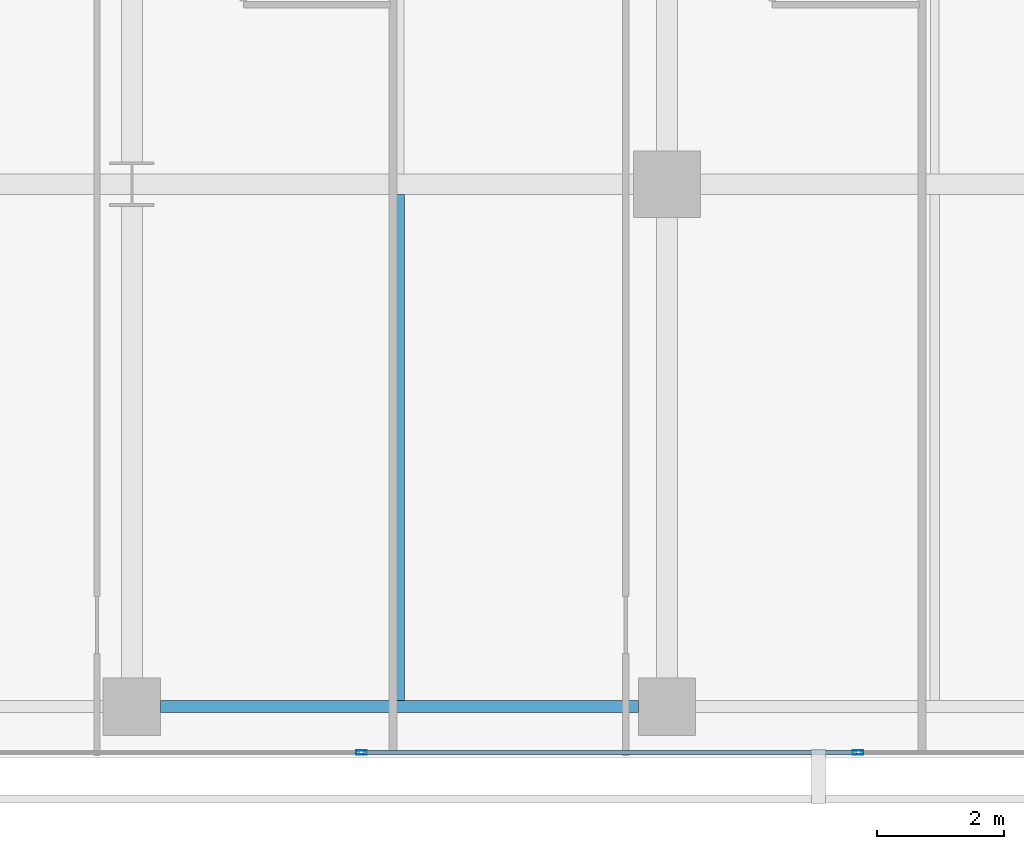
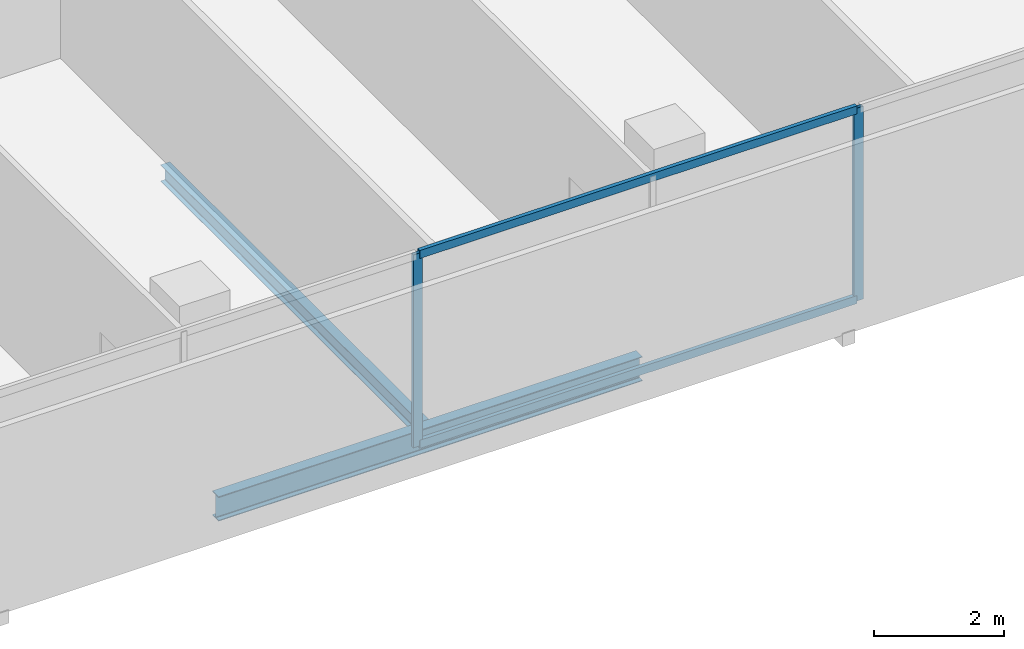
# One storey, part 14 of 40: 4 members, 2 beams, 1 element without a shape of its own.
"""IFC4 building model written with IfcOpenShell, lengths in metres."""

import ifcopenshell
import ifcopenshell.guid

model = None  # the IFC model being written
_history = None  # IfcOwnerHistory: only IFC2X3 demands one
_inside = {}  # id of a spatial element -> (the spatial element, [elements in it])
_under = {}  # id of a project, library or spatial element -> (it, [spatial elements below it])
_declared = {}  # id of a project -> (the project, [libraries it declares])
_typed = {}  # id of a type object -> (the type object, [elements of that type])
_made_of = {}  # id of a material, layer set ... -> (it, [elements and type objects made of it])


def new_model(schema):
    """Start an empty IFC model of exactly this schema.

    Asked for "IFC4X3", IfcOpenShell would pick the latest addendum, in which some entities
    have other attributes; the version numbers below select the first issue.
    IFC2X3 requires an IfcOwnerHistory on every rooted entity: one is made here for all.
    """
    global model, _history
    if schema == "IFC4X3":
        model = ifcopenshell.file(schema_version=(4, 3, 0, 0))
    else:
        model = ifcopenshell.file(schema=schema)
    _inside.clear()
    _under.clear()
    _declared.clear()
    _typed.clear()
    _made_of.clear()
    _history = None
    if model.schema == "IFC2X3":
        org = make("IfcOrganization", Name="unknown")
        user = make(
            "IfcPersonAndOrganization",
            ThePerson=make("IfcPerson", FamilyName="unknown"),
            TheOrganization=org,
        )
        app = make(
            "IfcApplication",
            ApplicationDeveloper=org,
            Version="unknown",
            ApplicationFullName="unknown",
            ApplicationIdentifier="unknown",
        )
        _history = make(
            "IfcOwnerHistory",
            OwningUser=user,
            OwningApplication=app,
            ChangeAction="ADDED",
            CreationDate=0,
        )
    return model


def make(cls, **values):
    """One entity of the class cls with the attributes given. An attribute that is None is left unset."""
    return model.create_entity(
        cls, **{name: value for name, value in values.items() if value is not None}
    )


def rooted(cls, **values):
    """An entity with a GlobalId (a new one), such as an element, a storey or a relation."""
    return make(cls, GlobalId=ifcopenshell.guid.new(), OwnerHistory=_history, **values)


def si_unit(unit_type, name, prefix=None):
    """IfcSIUnit, for example si_unit("LENGTHUNIT", "METRE", prefix="MILLI")."""
    return make("IfcSIUnit", UnitType=unit_type, Prefix=prefix, Name=name)


def assignment(units):
    """IfcUnitAssignment: the units of a project."""
    return None if units is None else make("IfcUnitAssignment", Units=units)


def point(xyz):
    """IfcCartesianPoint."""
    return None if xyz is None else make("IfcCartesianPoint", Coordinates=xyz)


def direction(xyz):
    """IfcDirection."""
    return None if xyz is None else make("IfcDirection", DirectionRatios=xyz)


def frame(location, z_axis=None, x_axis=None):
    """IfcAxis2Placement3D, a coordinate frame: its origin and axes. An axis left out is left unset."""
    return make(
        "IfcAxis2Placement3D",
        Location=point(location),
        Axis=direction(z_axis),
        RefDirection=direction(x_axis),
    )


def frame_2d(location, x_axis=None):
    """IfcAxis2Placement2D, a coordinate frame in the plane: its origin and x axis."""
    return make(
        "IfcAxis2Placement2D", Location=point(location), RefDirection=direction(x_axis)
    )


def origin():
    """The frame at (0, 0, 0) with its axes left unset."""
    return frame((0.0, 0.0, 0.0))


def origin_2d():
    """The frame at (0, 0) in the plane with its x axis left unset."""
    return frame_2d((0.0, 0.0))


def place(relative_to, where):
    """IfcLocalPlacement: puts the frame where relative to a parent placement (None: the world)."""
    return make(
        "IfcLocalPlacement", PlacementRelTo=relative_to, RelativePlacement=where
    )


def context(
    kind, dimensions, precision=None, world=None, true_north=None, identifier=None
):
    """IfcGeometricRepresentationContext, for example the 3D "Model" context."""
    return make(
        "IfcGeometricRepresentationContext",
        ContextIdentifier=identifier,
        ContextType=kind,
        CoordinateSpaceDimension=dimensions,
        Precision=precision,
        WorldCoordinateSystem=world,
        TrueNorth=true_north,
    )


def subcontext(parent, identifier, kind, view, scale=None):
    """IfcGeometricRepresentationSubContext, for example "Body" below "Model"."""
    return make(
        "IfcGeometricRepresentationSubContext",
        ContextIdentifier=identifier,
        ContextType=kind,
        ParentContext=parent,
        TargetScale=scale,
        TargetView=view,
    )


def project(units=None, contexts=None):
    """IfcProject with its units and contexts."""
    return rooted(
        "IfcProject",
        Name="project",
        RepresentationContexts=contexts,
        UnitsInContext=assignment(units),
    )


def spatial(cls, under=None, at=None, **own):
    """A site, building, storey or space (cls), placed at a placement, below another one or the project."""
    s = rooted(cls, ObjectPlacement=at, **own)
    if under is not None:
        _under.setdefault(under.id(), (under, []))[1].append(s)
    return s


def profile(cls, at=None, kind="AREA", **sizes):
    """A parametric profile (cls). Its sizes go by their IFC names, for example OverallWidth=200.0."""
    return make(cls, ProfileType=kind, Position=at, **sizes)


def hollow_rectangle(**sizes):
    """IfcRectangleHollowProfileDef."""
    return profile("IfcRectangleHollowProfileDef", **sizes)


def i_section(**sizes):
    """IfcIShapeProfileDef."""
    return profile("IfcIShapeProfileDef", **sizes)


def extrude(swept, where, along, depth):
    """IfcExtrudedAreaSolid: the profile swept, set in the frame where, extruded along a direction by depth."""
    return make(
        "IfcExtrudedAreaSolid",
        SweptArea=swept,
        Position=where,
        ExtrudedDirection=direction(along),
        Depth=depth,
    )


def shape(context_of_items, identifier, shape_type, items):
    """IfcShapeRepresentation: the items that make up one representation, for example the "Body"."""
    return make(
        "IfcShapeRepresentation",
        ContextOfItems=context_of_items,
        RepresentationIdentifier=identifier,
        RepresentationType=shape_type,
        Items=items,
    )


def material(Name=None, Category=None):
    """IfcMaterial."""
    return make("IfcMaterial", Name=Name, Category=Category)


def layer(
    of_material, thickness, ventilated=None, Name=None, Category=None, Priority=None
):
    """IfcMaterialLayer: one layer of a wall or slab, of a material (None: an air gap)."""
    return make(
        "IfcMaterialLayer",
        Material=of_material,
        LayerThickness=thickness,
        IsVentilated=ventilated,
        Name=Name,
        Category=Category,
        Priority=Priority,
    )


def layer_set(layers, Name=None):
    """IfcMaterialLayerSet."""
    return make("IfcMaterialLayerSet", MaterialLayers=layers, LayerSetName=Name)


def material_profile(
    of_material, cross_section, Name=None, Category=None, Priority=None
):
    """IfcMaterialProfile: a cross section and its material."""
    return make(
        "IfcMaterialProfile",
        Name=Name,
        Material=of_material,
        Profile=cross_section,
        Priority=Priority,
        Category=Category,
    )


def profile_set(profiles, Name=None, composite=None):
    """IfcMaterialProfileSet."""
    return make(
        "IfcMaterialProfileSet",
        Name=Name,
        MaterialProfiles=profiles,
        CompositeProfile=composite,
    )


def made_of(thing, what):
    """Note that an element or type object is made of a material, layer set ...; save() writes the relation."""
    if what is not None:
        _made_of.setdefault(what.id(), (what, []))[1].append(thing)
    return thing


def type_object(cls, material=None, **own):
    """A type object (cls), such as IfcWallType, which elements share."""
    return made_of(rooted(cls, **own), material)


def element(
    cls,
    number,
    at=None,
    inside=None,
    cuts=None,
    type_object=None,
    material=None,
    context=None,
    identifier="Body",
    shape_type=None,
    held_by="IfcProductDefinitionShape",
    body=None,
    shapes=None,
    **own,
):
    """One element of the class cls, such as IfcWall. Its Tag is "e" and its number.

    at: its placement. inside: the storey or other place that contains it. cuts: it is an
    opening in that element (IfcRelVoidsElement). A single representation is given by context,
    identifier, shape_type and body (its items); several are given by shapes. held_by: the class
    of the entity that holds the representations. save() writes the other relations.
    """
    e = rooted(cls, Tag="e%d" % number, ObjectPlacement=at, **own)
    if body is not None:
        shapes = [shape(context, identifier, shape_type, body)]
    if shapes is not None:
        e.Representation = make(held_by, Representations=shapes)
    if inside is not None:
        _inside.setdefault(inside.id(), (inside, []))[1].append(e)
    if cuts is not None:
        rooted(
            "IfcRelVoidsElement", RelatingBuildingElement=cuts, RelatedOpeningElement=e
        )
    if type_object is not None:
        _typed.setdefault(type_object.id(), (type_object, []))[1].append(e)
    return made_of(e, material)


def aggregate(whole, parts):
    """IfcRelAggregates: a whole, such as a stair, and the parts it consists of."""
    return rooted("IfcRelAggregates", RelatingObject=whole, RelatedObjects=parts)


def save(model, path):
    """Write the relations noted so far, then the file.

    IfcRelAggregates (storeys below a building ...), IfcRelContainedInSpatialStructure (elements
    in a storey), IfcRelDefinesByType, IfcRelAssociatesMaterial and IfcRelDeclares: one each for
    every whole, place, type object, material and project.
    """
    for whole, parts in _under.values():
        aggregate(whole, parts)
    for where, things in _inside.values():
        rooted(
            "IfcRelContainedInSpatialStructure",
            RelatedElements=things,
            RelatingStructure=where,
        )
    for kind, things in _typed.values():
        rooted("IfcRelDefinesByType", RelatedObjects=things, RelatingType=kind)
    for what, things in _made_of.values():
        rooted("IfcRelAssociatesMaterial", RelatedObjects=things, RelatingMaterial=what)
    for by, libraries in _declared.values():
        rooted("IfcRelDeclares", RelatingContext=by, RelatedDefinitions=libraries)
    model.write(path)


model = new_model("IFC4")

# Units and contexts
model_context = context("Model", 3, precision=1e-05, world=origin(), true_north=direction((0.0, 1.0)))
body_context = subcontext(model_context, "Body", "Model", "MODEL_VIEW")
ifc_project = project(units=[si_unit("LENGTHUNIT", "METRE"), si_unit("AREAUNIT", "SQUARE_METRE"), si_unit("VOLUMEUNIT", "CUBIC_METRE"), si_unit("PLANEANGLEUNIT", "RADIAN"), si_unit("MASSUNIT", "GRAM", prefix="KILO")], contexts=[model_context])

# Site, building, storey
site_placement = place(None, origin())
site = spatial("IfcSite", under=ifc_project, at=site_placement, CompositionType="ELEMENT")
building_placement = place(site_placement, origin())
building = spatial("IfcBuilding", under=site, at=building_placement, Name="Maruvema Waterfront Hotel and Observation Tower", CompositionType="ELEMENT")
storey_placement = place(building_placement, frame((0.0, 0.0, 50.050048828125)))
storey = spatial("IfcBuildingStorey", under=building, at=storey_placement, Name="L11", CompositionType="ELEMENT", Elevation=50.050048828125)

# Curtain wall, members
ifc_material_1 = material(Name="Anodised bronze aluminium and solar-control low-E IGU", Category="aluminium")
ifc_layer = layer(ifc_material_1, 0.159912109375, Name="Zone 1 Bronze Inner Thermal Curtain Wall System CW-02")
ifc_layer_set = layer_set([ifc_layer], Name="Anodised bronze aluminium and solar-control low-E IGU")
curtain_wall_type = type_object("IfcCurtainWallType", Name="Zone 1 Bronze Inner Thermal Curtain Wall System CW-02", PredefinedType="USERDEFINED", material=ifc_layer_set)
curtain_wall_placement = place(storey_placement, origin())
curtain_wall = element("IfcCurtainWall", 1, at=curtain_wall_placement, inside=storey, type_object=curtain_wall_type, Name="L11 Curtain Wall CW-L11-S", ObjectType="UNITISED CURTAIN WALL", PredefinedType="USERDEFINED")
ifc_material_2 = material(Name="Anodised architectural bronze aluminium", Category="aluminium")
ifc_material_profile_1 = material_profile(ifc_material_2, hollow_rectangle(XDim=0.070068359375, YDim=0.14990234375, WallThickness=0.00390625, at=origin_2d()), Name="ALU-T70x150")
ifc_profile_set_1 = profile_set([ifc_material_profile_1], Name="Anodised architectural bronze aluminium")
member_type_1 = type_object("IfcMemberType", Name="Curtain Wall Horizontal Transom ALU-T70x150", PredefinedType="USERDEFINED", material=ifc_profile_set_1)
member_1_placement = place(storey_placement, frame((45.6298828125, 0.080078125, 0.030029296875), z_axis=(1.0, 0.0, 0.0), x_axis=(0.0, 1.0, 0.0)))
member_1 = element("IfcMember", 2, at=member_1_placement, type_object=member_type_1, Name="CW-02 transom 5.1", ObjectType="TRANSOM", PredefinedType="USERDEFINED", context=body_context, shape_type="SweptSolid", body=[
    extrude(hollow_rectangle(XDim=0.070068359375, YDim=0.14990234375, WallThickness=0.00390625, at=origin_2d()), origin(), (0.0, 0.0, 1.0), 7.740234375),
])
member_2_placement = place(storey_placement, frame((45.6298828125, 0.080078125, 3.579833984375), z_axis=(1.0, 0.0, 0.0), x_axis=(0.0, 1.0, 0.0)))
member_2 = element("IfcMember", 3, at=member_2_placement, type_object=member_type_1, Name="CW-02 transom 5.2", ObjectType="TRANSOM", PredefinedType="USERDEFINED", context=body_context, shape_type="SweptSolid", body=[
    extrude(hollow_rectangle(XDim=0.070068359375, YDim=0.14990234375, WallThickness=0.00390625, at=origin_2d()), origin(), (0.0, 0.0, 1.0), 7.740234375),
])
ifc_material_3 = material(Name="Anodised architectural bronze aluminium", Category="aluminium")
ifc_material_profile_2 = material_profile(ifc_material_3, hollow_rectangle(XDim=0.06494140625, YDim=0.1650390625, WallThickness=0.00390625, at=origin_2d()), Name="ALU-M65x165")
ifc_profile_set_2 = profile_set([ifc_material_profile_2], Name="Anodised architectural bronze aluminium")
member_type_2 = type_object("IfcMemberType", Name="Curtain Wall Primary Mullion ALU-M65x165", PredefinedType="MULLION", material=ifc_profile_set_2)
member_3_placement = place(storey_placement, frame((45.60009765625, 0.080078125, 0.0), z_axis=(0.0, 0.0, 1.0), x_axis=(0.0, 1.0, 0.0)))
member_3 = element("IfcMember", 4, at=member_3_placement, type_object=member_type_2, Name="CW-02 mullion 5", PredefinedType="MULLION", context=body_context, shape_type="SweptSolid", body=[
    extrude(hollow_rectangle(XDim=0.06494140625, YDim=0.1650390625, WallThickness=0.00390625, at=origin_2d()), origin(), (0.0, 0.0, 1.0), 3.60986328125),
])
member_4_placement = place(storey_placement, frame((53.39990234375, 0.080078125, 0.0), z_axis=(0.0, 0.0, 1.0), x_axis=(0.0, 1.0, 0.0)))
member_4 = element("IfcMember", 5, at=member_4_placement, type_object=member_type_2, Name="CW-02 mullion 6", PredefinedType="MULLION", context=body_context, shape_type="SweptSolid", body=[
    extrude(hollow_rectangle(XDim=0.06494140625, YDim=0.1650390625, WallThickness=0.00390625, at=origin_2d()), origin(), (0.0, 0.0, 1.0), 3.60986328125),
])
aggregate(curtain_wall, [member_3, member_4, member_1, member_2])

# Beams
ifc_material_4 = material(Name="Steel ASTM A572 Grade 50", Category="steel")
ifc_material_profile_3 = material_profile(ifc_material_4, i_section(OverallWidth=0.18994140625, OverallDepth=0.45703125, WebThickness=0.009033203125, FlangeThickness=0.014404296875, FilletRadius=0.014892578125, at=origin_2d()), Name="W460x74.0")
ifc_profile_set_3 = profile_set([ifc_material_profile_3], Name="Steel ASTM A572 Grade 50")
beam_type_1 = type_object("IfcBeamType", Name="Perimeter Spandrel Beam W460x74.0", PredefinedType="SPANDREL", material=ifc_profile_set_3)
beam_1_placement = place(storey_placement, frame((42.449951171875, 0.800048828125, -0.468505859375), z_axis=(1.0, 0.0, 0.0), x_axis=(0.0, 1.0, 0.0)))
element("IfcBeam", 6, at=beam_1_placement, inside=storey, type_object=beam_type_1, Name="L11 Floor Girder EW-04", PredefinedType="SPANDREL", context=body_context, shape_type="SweptSolid", body=[
    extrude(i_section(OverallWidth=0.18994140625, OverallDepth=0.45703125, WebThickness=0.009033203125, FlangeThickness=0.014404296875, FilletRadius=0.014892578125, at=origin_2d()), origin(), (0.0, 0.0, 1.0), 7.5),
])
ifc_material_5 = material(Name="Steel ASTM A572 Grade 50", Category="steel")
ifc_material_profile_4 = material_profile(ifc_material_5, i_section(OverallWidth=0.1650390625, OverallDepth=0.31005859375, WebThickness=0.005859375, FlangeThickness=0.009765625, FilletRadius=0.012939453125, at=origin_2d()), Name="W310x38.7")
ifc_profile_set_4 = profile_set([ifc_material_profile_4], Name="Steel ASTM A572 Grade 50")
beam_type_2 = type_object("IfcBeamType", Name="Secondary Floor Joist W310x38.7", PredefinedType="JOIST", material=ifc_profile_set_4)
beam_2_placement = place(storey_placement, frame((46.199951171875, 0.89501953125, -0.39501953125), z_axis=(0.0, 1.0, 0.0), x_axis=(-1.0, 0.0, 0.0)))
element("IfcBeam", 7, at=beam_2_placement, inside=storey, type_object=beam_type_2, Name="L11 Secondary Floor Joist JS-14", PredefinedType="JOIST", context=body_context, shape_type="SweptSolid", body=[
    extrude(i_section(OverallWidth=0.1650390625, OverallDepth=0.31005859375, WebThickness=0.005859375, FlangeThickness=0.009765625, FilletRadius=0.012939453125, at=origin_2d()), origin(), (0.0, 0.0, 1.0), 7.94140625),
])

save(model, "model.ifc")
